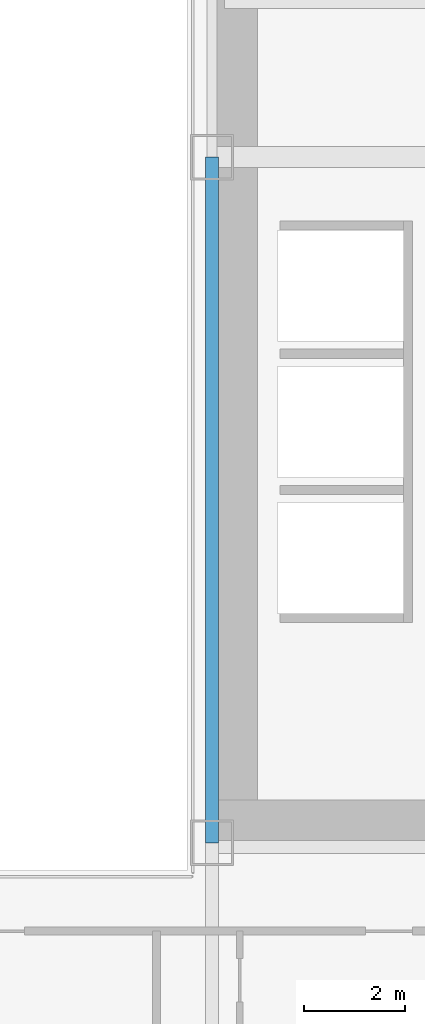
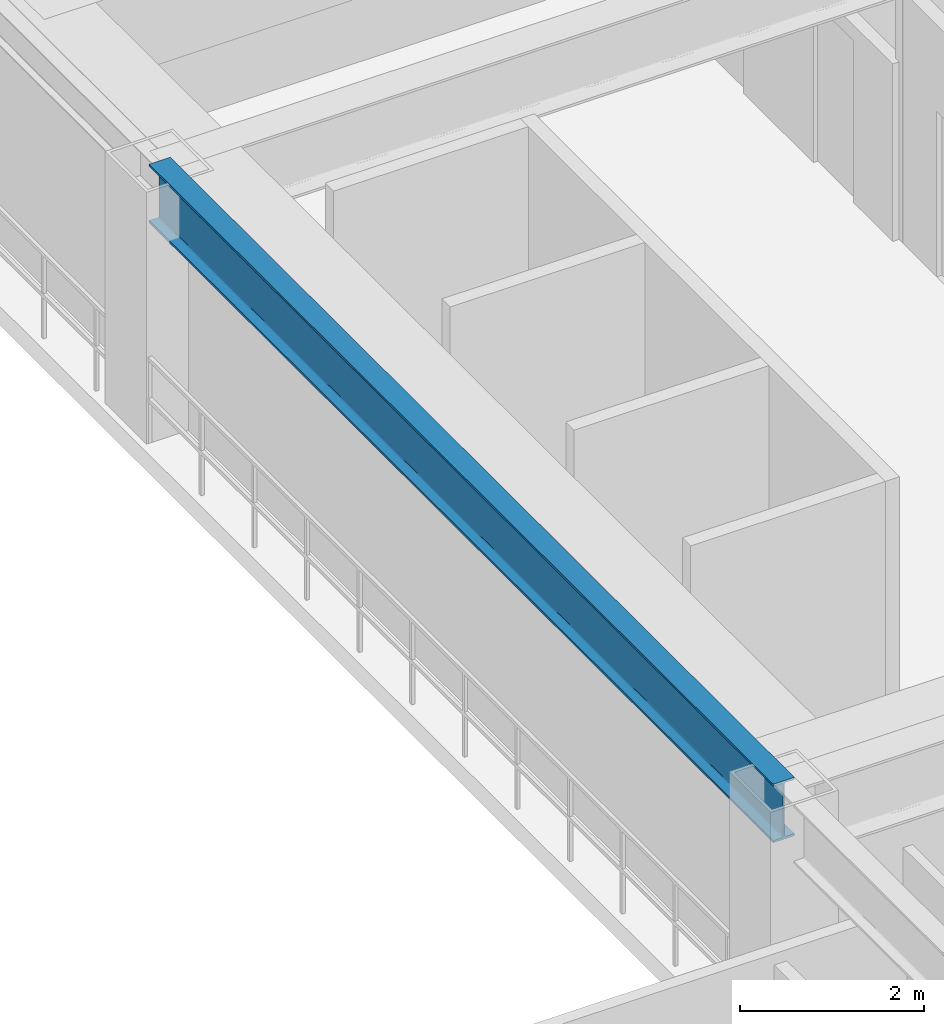
# One storey, part 12 of 38: 1 beam.
"""IFC4 building model written with IfcOpenShell, lengths in metres."""

from ifc_helpers import new_model, si_unit, direction, frame, origin, origin_2d, place, context, subcontext, project, spatial, i_section, extrude, source, transform, mapped, material, material_profile, profile_set, type_object, element, save


model = new_model("IFC4")

# Units and contexts
model_context = context("Model", 3, precision=1e-05, world=origin(), true_north=direction((0.0, 1.0)))
body_context = subcontext(model_context, "Body", "Model", "MODEL_VIEW")
ifc_project = project(units=[si_unit("LENGTHUNIT", "METRE"), si_unit("AREAUNIT", "SQUARE_METRE"), si_unit("VOLUMEUNIT", "CUBIC_METRE"), si_unit("PLANEANGLEUNIT", "RADIAN"), si_unit("MASSUNIT", "GRAM", prefix="KILO")], contexts=[model_context])

# Site, building, storey
site_placement = place(None, origin())
site = spatial("IfcSite", under=ifc_project, at=site_placement, CompositionType="ELEMENT")
building_placement = place(site_placement, origin())
building = spatial("IfcBuilding", under=site, at=building_placement, Name="Ocotamira Hotel", CompositionType="ELEMENT")
storey_placement = place(building_placement, frame((0.0, 0.0, 45.60009765625)))
storey = spatial("IfcBuildingStorey", under=building, at=storey_placement, Name="L10", CompositionType="ELEMENT", Elevation=45.60009765625)

# Beam
ifc_material = material(Name="Steel ASTM A992 Grade 50", Category="steel")
ifc_material_profile = material_profile(ifc_material, i_section(OverallWidth=0.26611328125, OverallDepth=0.779052734375, WebThickness=0.0166015625, FlangeThickness=0.030029296875, FilletRadius=0.01806640625, at=origin_2d()), Name="W30X148")
ifc_profile_set = profile_set([ifc_material_profile], Name="Steel ASTM A992 Grade 50")
beam_type = type_object("IfcBeamType", Name="BM-GIRD-W30X148", PredefinedType="BEAM", material=ifc_profile_set)
shared_shape = source(origin(), body_context, "Body", "SweptSolid", [
    extrude(i_section(OverallWidth=0.26611328125, OverallDepth=0.779052734375, WebThickness=0.0166015625, FlangeThickness=0.030029296875, FilletRadius=0.01806640625, at=origin_2d()), origin(), (0.0, 0.0, 1.0), 13.599853515625),
])
beam_placement = place(storey_placement, frame((40.5, 14.550048828125, 2.96044921875), z_axis=(0.0, 1.0, 0.0), x_axis=(-1.0, 0.0, 0.0)))
element("IfcBeam", 1, at=beam_placement, inside=storey, type_object=beam_type, Name="L10 Beam X40.5 Y14.55-28.15", PredefinedType="BEAM", context=body_context, shape_type="MappedRepresentation", body=[
    mapped(shared_shape, transform((0.0, 0.0, 0.0), scale=1.0)),
])

save(model, "model.ifc")
